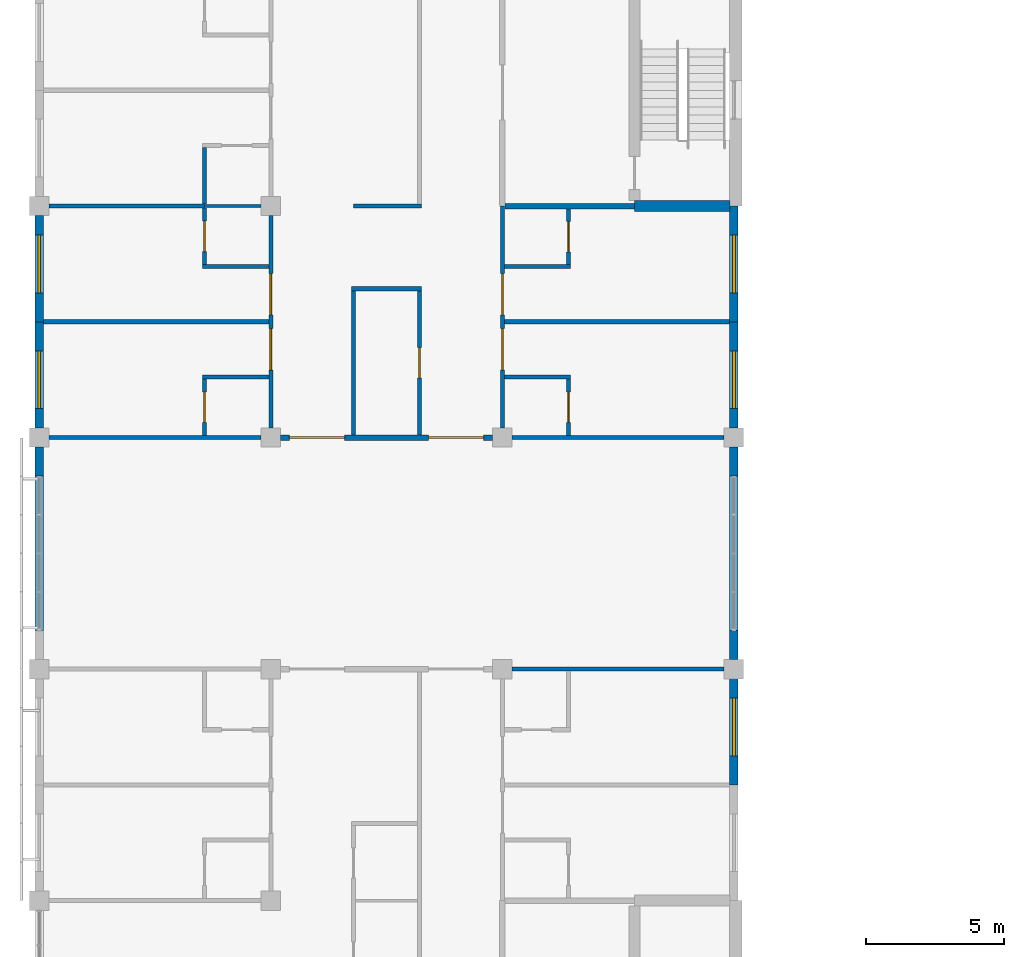
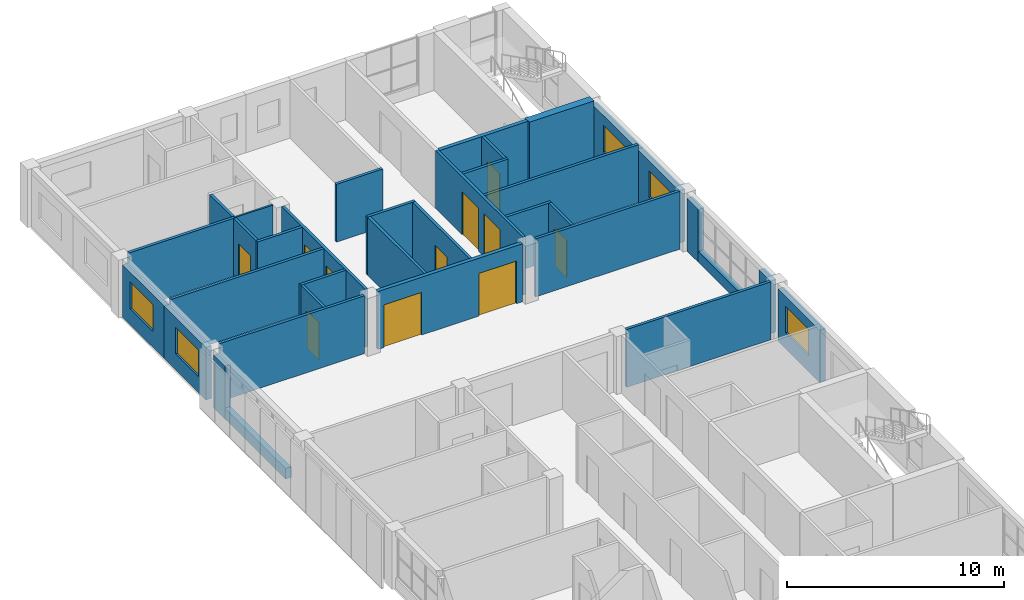
# One storey, part 34 of 46: 35 walls, 11 doors, 5 windows, 16 openings.
"""IFC4 building model written with IfcOpenShell, lengths in metres."""

from ifc_helpers import new_model, si_unit, direction, frame, frame_2d, origin, place, context, subcontext, project, spatial, rectangle, extrude, material, layer, layer_set, type_object, element, fill, save


model = new_model("IFC4")

# Units and contexts
model_context = context("Model", 3, precision=1e-05, world=origin(), true_north=direction((0.0, 1.0)))
body_context = subcontext(model_context, "Body", "Model", "MODEL_VIEW")
ifc_project = project(units=[si_unit("LENGTHUNIT", "METRE"), si_unit("AREAUNIT", "SQUARE_METRE"), si_unit("VOLUMEUNIT", "CUBIC_METRE"), si_unit("PLANEANGLEUNIT", "RADIAN"), si_unit("MASSUNIT", "GRAM", prefix="KILO")], contexts=[model_context])

# Site, building, storey
site_placement = place(None, origin())
site = spatial("IfcSite", under=ifc_project, at=site_placement, CompositionType="ELEMENT")
building_placement = place(site_placement, origin())
building = spatial("IfcBuilding", under=site, at=building_placement, Name="Yavir Park General Hospital", CompositionType="ELEMENT")
storey_placement = place(building_placement, frame((0.0, 0.0, 18.89990234375)))
storey = spatial("IfcBuildingStorey", under=building, at=storey_placement, Name="L04", CompositionType="ELEMENT", Elevation=18.89990234375)

# Wall, openings, doors
ifc_material_1 = material(Name="Double gypsum board fire partition on steel studs", Category="steel")
ifc_layer_1 = layer(ifc_material_1, 0.199951171875)
ifc_layer_set_1 = layer_set([ifc_layer_1], Name="Double gypsum board fire partition on steel studs")
wall_type_1 = type_object("IfcWallType", Name="Fire-rated partition 200, EI 60", PredefinedType="PARTITIONING", material=ifc_layer_set_1)
wall_1_placement = place(storey_placement, frame((8.75, 100.800048828125, 0.0), z_axis=(0.0, 0.0, 1.0), x_axis=(1.0, 0.0, 0.0)))
wall_1 = element("IfcWall", 1, at=wall_1_placement, inside=storey, type_object=wall_type_1, Name="FP20 L04-126", PredefinedType="PARTITIONING", context=body_context, shape_type="SweptSolid", body=[
    extrude(rectangle(XDim=7.699951171875, YDim=0.199951171875, at=frame_2d((3.85009765625, 0.0))), origin(), (0.0, 0.0, 1.0), 3.260009765625),
])
opening_1_placement = place(wall_1_placement, frame((0.324951171875, 0.0, 0.0)))
opening_1 = element("IfcOpeningElement", 2, at=opening_1_placement, cuts=wall_1, Name="Opening L04.D070", PredefinedType="OPENING", context=body_context, shape_type="SweptSolid", body=[
    extrude(rectangle(XDim=2.0, YDim=2.39990234375, at=frame_2d((1.0, 1.199951171875))), frame((0.0, 0.10986328125, 0.0), z_axis=(0.0, -1.0, 0.0), x_axis=(1.0, 0.0, 0.0)), (0.0, 0.0, 1.0), 0.219970703125),
])
opening_2_placement = place(wall_1_placement, frame((5.375, 0.0, 0.0)))
opening_2 = element("IfcOpeningElement", 3, at=opening_2_placement, cuts=wall_1, Name="Opening L04.D071", PredefinedType="OPENING", context=body_context, shape_type="SweptSolid", body=[
    extrude(rectangle(XDim=2.0, YDim=2.39990234375, at=frame_2d((1.0, 1.199951171875))), frame((0.0, 0.10986328125, 0.0), z_axis=(0.0, -1.0, 0.0), x_axis=(1.0, 0.0, 0.0)), (0.0, 0.0, 1.0), 0.219970703125),
])
ifc_material_2 = material(Name="Steel frame, fire-resisting leaves with vision panels", Category="steel")
door_type_1 = type_object("IfcDoorType", Name="Double fire door with vision panels 2000 x 2400, EI 60", OperationType="DOUBLE_DOOR_SINGLE_SWING", PredefinedType="DOOR", material=ifc_material_2)
door_1_placement = place(opening_1_placement, origin())
door_1 = element("IfcDoor", 4, at=door_1_placement, inside=storey, type_object=door_type_1, Name="L04.D070", OperationType="SINGLE_SWING_LEFT", OverallHeight=2.39990234375, OverallWidth=2.0, PredefinedType="DOOR", context=body_context, shape_type="SweptSolid", body=[
    extrude(rectangle(XDim=2.0, YDim=2.39990234375, at=frame_2d((1.0, 1.199951171875))), frame((0.0, 0.030029296875, 0.0), z_axis=(0.0, -1.0, 0.0), x_axis=(1.0, 0.0, 0.0)), (0.0, 0.0, 1.0), 0.06005859375),
])
fill(opening_1, door_1)
door_2_placement = place(opening_2_placement, origin())
door_2 = element("IfcDoor", 5, at=door_2_placement, inside=storey, type_object=door_type_1, Name="L04.D071", OperationType="SINGLE_SWING_RIGHT", OverallHeight=2.39990234375, OverallWidth=2.0, PredefinedType="DOOR", context=body_context, shape_type="SweptSolid", body=[
    extrude(rectangle(XDim=2.0, YDim=2.39990234375, at=frame_2d((1.0, 1.199951171875))), frame((0.0, 0.030029296875, 0.0), z_axis=(0.0, -1.0, 0.0), x_axis=(1.0, 0.0, 0.0)), (0.0, 0.0, 1.0), 0.06005859375),
])
fill(opening_2, door_2)

# Walls
wall_2_placement = place(storey_placement, frame((16.89990234375, 109.199951171875, 0.0), z_axis=(0.0, 0.0, 1.0), x_axis=(1.0, 0.0, 0.0)))
element("IfcWall", 6, at=wall_2_placement, inside=storey, type_object=wall_type_1, Name="FP20 L04-138", PredefinedType="PARTITIONING", context=body_context, shape_type="SweptSolid", body=[
    extrude(rectangle(XDim=4.7001953125, YDim=0.199951171875, at=frame_2d((2.35009765625, 0.0))), origin(), (0.0, 0.0, 1.0), 3.260009765625),
])
ifc_material_3 = material(Name="Gypsum board partition on steel studs", Category="steel")
ifc_layer_2 = layer(ifc_material_3, 0.10009765625)
ifc_layer_set_2 = layer_set([ifc_layer_2], Name="Gypsum board partition on steel studs")
wall_type_2 = type_object("IfcWallType", Name="Gypsum board partition 100", PredefinedType="PARTITIONING", material=ifc_layer_set_2)
wall_3_placement = place(storey_placement, frame((6.0, 109.199951171875, 0.0), z_axis=(0.0, 0.0, 1.0), x_axis=(1.0, 0.0, 0.0)))
element("IfcWall", 7, at=wall_3_placement, inside=storey, type_object=wall_type_2, Name="P10 L04-136", PredefinedType="PARTITIONING", context=body_context, shape_type="SweptSolid", body=[
    extrude(rectangle(XDim=2.050048828125, YDim=0.10009765625, at=frame_2d((1.02490234375, 0.0))), origin(), (0.0, 0.0, 1.0), 3.260009765625),
])
ifc_material_4 = material(Name="Gypsum board partition on steel studs", Category="steel")
ifc_layer_3 = layer(ifc_material_4, 0.14990234375)
ifc_layer_set_3 = layer_set([ifc_layer_3], Name="Gypsum board partition on steel studs")
wall_type_3 = type_object("IfcWallType", Name="Gypsum board partition 150", PredefinedType="PARTITIONING", material=ifc_layer_set_3)
wall_4_placement = place(storey_placement, frame((17.14990234375, 92.39990234375, 0.0), z_axis=(0.0, 0.0, 1.0), x_axis=(1.0, 0.0, 0.0)))
element("IfcWall", 8, at=wall_4_placement, inside=storey, type_object=wall_type_3, Name="P15 L04-124", PredefinedType="PARTITIONING", context=body_context, shape_type="SweptSolid", body=[
    extrude(rectangle(XDim=7.7001953125, YDim=0.14990234375, at=frame_2d((3.85009765625, 0.0))), origin(), (0.0, 0.0, 1.0), 3.260009765625),
])
wall_5_placement = place(storey_placement, frame((0.35009765625, 100.800048828125, 0.0), z_axis=(0.0, 0.0, 1.0), x_axis=(1.0, 0.0, 0.0)))
element("IfcWall", 9, at=wall_5_placement, inside=storey, type_object=wall_type_3, Name="P15 L04-125", PredefinedType="PARTITIONING", context=body_context, shape_type="SweptSolid", body=[
    extrude(rectangle(XDim=7.699951171875, YDim=0.14990234375, at=frame_2d((3.85009765625, 0.0))), origin(), (0.0, 0.0, 1.0), 3.260009765625),
])
wall_6_placement = place(storey_placement, frame((17.14990234375, 100.800048828125, 0.0), z_axis=(0.0, 0.0, 1.0), x_axis=(1.0, 0.0, 0.0)))
element("IfcWall", 10, at=wall_6_placement, inside=storey, type_object=wall_type_3, Name="P15 L04-127", PredefinedType="PARTITIONING", context=body_context, shape_type="SweptSolid", body=[
    extrude(rectangle(XDim=7.7001953125, YDim=0.14990234375, at=frame_2d((3.85009765625, 0.0))), origin(), (0.0, 0.0, 1.0), 3.260009765625),
])
for number, where, z_axis, x_axis, name in (
    (11, (5.925048828125, 103.0, 0.0), (0.0, 0.0, 1.0), (1.0, 0.0, 0.0), "P15 L04-128"),
    (12, (16.875, 103.0, 0.0), (0.0, 0.0, 1.0), (1.0, 0.0, 0.0), "P15 L04-129"),
):
    element("IfcWall", number, at=place(storey_placement, frame(where, z_axis=z_axis, x_axis=x_axis)), inside=storey, type_object=wall_type_3, Name=name, PredefinedType="PARTITIONING", context=body_context, shape_type="SweptSolid", body=[
        extrude(rectangle(XDim=2.39990234375, YDim=0.14990234375, at=frame_2d((1.199951171875, 0.0))), origin(), (0.0, 0.0, 1.0), 3.260009765625),
    ])
for number, where, z_axis, x_axis, name in (
    (13, (0.14990234375, 105.0, 0.0), (0.0, 0.0, 1.0), (1.0, 0.0, 0.0), "P15 L04-130"),
    (14, (16.875, 105.0, 0.0), (0.0, 0.0, 1.0), (1.0, 0.0, 0.0), "P15 L04-131"),
):
    element("IfcWall", number, at=place(storey_placement, frame(where, z_axis=z_axis, x_axis=x_axis)), inside=storey, type_object=wall_type_3, Name=name, PredefinedType="PARTITIONING", context=body_context, shape_type="SweptSolid", body=[
        extrude(rectangle(XDim=8.175048828125, YDim=0.14990234375, at=frame_2d((4.08740234375, 0.0))), origin(), (0.0, 0.0, 1.0), 3.260009765625),
    ])
wall_7_placement = place(storey_placement, frame((11.324951171875, 106.199951171875, 0.0), z_axis=(0.0, 0.0, 1.0), x_axis=(1.0, 0.0, 0.0)))
element("IfcWall", 15, at=wall_7_placement, inside=storey, type_object=wall_type_3, Name="P15 L04-132", PredefinedType="PARTITIONING", context=body_context, shape_type="SweptSolid", body=[
    extrude(rectangle(XDim=2.550048828125, YDim=0.14990234375, at=frame_2d((1.27490234375, 0.0))), origin(), (0.0, 0.0, 1.0), 3.260009765625),
])
for number, where, z_axis, x_axis, name in (
    (16, (5.925048828125, 107.0, 0.0), (0.0, 0.0, 1.0), (1.0, 0.0, 0.0), "P15 L04-133"),
    (17, (16.875, 107.0, 0.0), (0.0, 0.0, 1.0), (1.0, 0.0, 0.0), "P15 L04-134"),
):
    element("IfcWall", number, at=place(storey_placement, frame(where, z_axis=z_axis, x_axis=x_axis)), inside=storey, type_object=wall_type_3, Name=name, PredefinedType="PARTITIONING", context=body_context, shape_type="SweptSolid", body=[
        extrude(rectangle(XDim=2.39990234375, YDim=0.14990234375, at=frame_2d((1.199951171875, 0.0))), origin(), (0.0, 0.0, 1.0), 3.260009765625),
    ])
wall_8_placement = place(storey_placement, frame((0.35009765625, 109.199951171875, 0.0), z_axis=(0.0, 0.0, 1.0), x_axis=(1.0, 0.0, 0.0)))
element("IfcWall", 18, at=wall_8_placement, inside=storey, type_object=wall_type_3, Name="P15 L04-135", PredefinedType="PARTITIONING", context=body_context, shape_type="SweptSolid", body=[
    extrude(rectangle(XDim=5.64990234375, YDim=0.14990234375, at=frame_2d((2.824951171875, 0.0))), origin(), (0.0, 0.0, 1.0), 3.260009765625),
])
wall_9_placement = place(storey_placement, frame((11.39990234375, 109.199951171875, 0.0), z_axis=(0.0, 0.0, 1.0), x_axis=(1.0, 0.0, 0.0)))
element("IfcWall", 19, at=wall_9_placement, inside=storey, type_object=wall_type_3, Name="P15 L04-137", PredefinedType="PARTITIONING", context=body_context, shape_type="SweptSolid", body=[
    extrude(rectangle(XDim=2.47509765625, YDim=0.14990234375, at=frame_2d((1.237548828125, 0.0))), origin(), (0.0, 0.0, 1.0), 3.260009765625),
])

# Wall, opening, door
wall_10_placement = place(storey_placement, frame((6.0, 100.875, 0.0), z_axis=(0.0, 0.0, 1.0), x_axis=(0.0, 1.0, 0.0)))
wall_10 = element("IfcWall", 20, at=wall_10_placement, inside=storey, type_object=wall_type_3, Name="P15 L04-157", PredefinedType="PARTITIONING", context=body_context, shape_type="SweptSolid", body=[
    extrude(rectangle(XDim=2.050048828125, YDim=0.14990234375, at=frame_2d((1.02490234375, 0.0))), origin(), (0.0, 0.0, 1.0), 3.260009765625),
])
opening_3_placement = place(wall_10_placement, frame((0.47509765625, 0.0, 0.0)))
opening_3 = element("IfcOpeningElement", 21, at=opening_3_placement, cuts=wall_10, Name="Opening L04.D085", PredefinedType="OPENING", context=body_context, shape_type="SweptSolid", body=[
    extrude(rectangle(XDim=1.10009765625, YDim=2.10009765625, at=frame_2d((0.550048828125, 1.050048828125))), frame((0.0, 0.0849609375, 0.0), z_axis=(0.0, -1.0, 0.0), x_axis=(1.0, 0.0, 0.0)), (0.0, 0.0, 1.0), 0.169921875),
])
ifc_material_5 = material(Name="Hollow metal frame, solid-core timber leaf", Category="wood")
door_type_2 = type_object("IfcDoorType", Name="Single swing door 1100 x 2100", OperationType="SINGLE_SWING_LEFT", PredefinedType="DOOR", material=ifc_material_5)
door_3_placement = place(opening_3_placement, origin())
door_3 = element("IfcDoor", 22, at=door_3_placement, inside=storey, type_object=door_type_2, Name="L04.D085", OperationType="SINGLE_SWING_RIGHT", OverallHeight=2.10009765625, OverallWidth=1.10009765625, PredefinedType="DOOR", context=body_context, shape_type="SweptSolid", body=[
    extrude(rectangle(XDim=1.10009765625, YDim=2.10009765625, at=frame_2d((0.550048828125, 1.050048828125))), frame((0.0, 0.02490234375, 0.0), z_axis=(0.0, -1.0, 0.0), x_axis=(1.0, 0.0, 0.0)), (0.0, 0.0, 1.0), 0.050048828125),
])
fill(opening_3, door_3)

wall_11_placement = place(storey_placement, frame((6.0, 107.074951171875, 0.0), z_axis=(0.0, 0.0, 1.0), x_axis=(0.0, 1.0, 0.0)))
wall_11 = element("IfcWall", 23, at=wall_11_placement, inside=storey, type_object=wall_type_3, Name="P15 L04-158", PredefinedType="PARTITIONING", context=body_context, shape_type="SweptSolid", body=[
    extrude(rectangle(XDim=2.050048828125, YDim=0.14990234375, at=frame_2d((1.02490234375, 0.0))), origin(), (0.0, 0.0, 1.0), 3.260009765625),
])
opening_4_placement = place(wall_11_placement, frame((0.47509765625, 0.0, 0.0)))
opening_4 = element("IfcOpeningElement", 24, at=opening_4_placement, cuts=wall_11, Name="Opening L04.D086", PredefinedType="OPENING", context=body_context, shape_type="SweptSolid", body=[
    extrude(rectangle(XDim=1.10009765625, YDim=2.10009765625, at=frame_2d((0.550048828125, 1.050048828125))), frame((0.0, 0.0849609375, 0.0), z_axis=(0.0, -1.0, 0.0), x_axis=(1.0, 0.0, 0.0)), (0.0, 0.0, 1.0), 0.169921875),
])
door_4_placement = place(opening_4_placement, origin())
door_4 = element("IfcDoor", 25, at=door_4_placement, inside=storey, type_object=door_type_2, Name="L04.D086", OperationType="SINGLE_SWING_LEFT", OverallHeight=2.10009765625, OverallWidth=1.10009765625, PredefinedType="DOOR", context=body_context, shape_type="SweptSolid", body=[
    extrude(rectangle(XDim=1.10009765625, YDim=2.10009765625, at=frame_2d((0.550048828125, 1.050048828125))), frame((0.0, 0.02490234375, 0.0), z_axis=(0.0, -1.0, 0.0), x_axis=(1.0, 0.0, 0.0)), (0.0, 0.0, 1.0), 0.050048828125),
])
fill(opening_4, door_4)

# Wall
wall_12_placement = place(storey_placement, frame((6.0, 109.27490234375, 0.0), z_axis=(0.0, 0.0, 1.0), x_axis=(0.0, 1.0, 0.0)))
element("IfcWall", 26, at=wall_12_placement, inside=storey, type_object=wall_type_3, Name="P15 L04-159", PredefinedType="PARTITIONING", context=body_context, shape_type="SweptSolid", body=[
    extrude(rectangle(XDim=2.050048828125, YDim=0.14990234375, at=frame_2d((1.02490234375, 0.0))), origin(), (0.0, 0.0, 1.0), 3.260009765625),
])

# Wall, openings, doors
wall_13_placement = place(storey_placement, frame((8.39990234375, 101.14990234375, 0.0), z_axis=(0.0, 0.0, 1.0), x_axis=(0.0, 1.0, 0.0)))
wall_13 = element("IfcWall", 27, at=wall_13_placement, inside=storey, type_object=wall_type_3, Name="P15 L04-173", PredefinedType="PARTITIONING", context=body_context, shape_type="SweptSolid", body=[
    extrude(rectangle(XDim=7.7001953125, YDim=0.14990234375, at=frame_2d((3.85009765625, 0.0))), origin(), (0.0, 0.0, 1.0), 3.260009765625),
])
opening_5_placement = place(wall_13_placement, frame((2.10009765625, 0.0, 0.0)))
opening_5 = element("IfcOpeningElement", 28, at=opening_5_placement, cuts=wall_13, Name="Opening L04.D100", PredefinedType="OPENING", context=body_context, shape_type="SweptSolid", body=[
    extrude(rectangle(XDim=1.5, YDim=2.39990234375, at=frame_2d((0.75, 1.199951171875))), frame((0.0, 0.0849609375, 0.0), z_axis=(0.0, -1.0, 0.0), x_axis=(1.0, 0.0, 0.0)), (0.0, 0.0, 1.0), 0.169921875),
])
opening_6_placement = place(wall_13_placement, frame((4.10009765625, 0.0, 0.0)))
opening_6 = element("IfcOpeningElement", 29, at=opening_6_placement, cuts=wall_13, Name="Opening L04.D101", PredefinedType="OPENING", context=body_context, shape_type="SweptSolid", body=[
    extrude(rectangle(XDim=1.5, YDim=2.39990234375, at=frame_2d((0.75, 1.199951171875))), frame((0.0, 0.0849609375, 0.0), z_axis=(0.0, -1.0, 0.0), x_axis=(1.0, 0.0, 0.0)), (0.0, 0.0, 1.0), 0.169921875),
])
ifc_material_6 = material(Name="Solid-core timber leaves, push plates, kick plates", Category="wood")
door_type_3 = type_object("IfcDoorType", Name="Bed door, unequal leaves 1500 x 2400", OperationType="DOUBLE_DOOR_SINGLE_SWING", PredefinedType="DOOR", material=ifc_material_6)
door_5_placement = place(opening_5_placement, origin())
door_5 = element("IfcDoor", 30, at=door_5_placement, inside=storey, type_object=door_type_3, Name="L04.D100", OperationType="SINGLE_SWING_RIGHT", OverallHeight=2.39990234375, OverallWidth=1.5, PredefinedType="DOOR", context=body_context, shape_type="SweptSolid", body=[
    extrude(rectangle(XDim=1.5, YDim=2.39990234375, at=frame_2d((0.75, 1.199951171875))), frame((0.0, 0.030029296875, 0.0), z_axis=(0.0, -1.0, 0.0), x_axis=(1.0, 0.0, 0.0)), (0.0, 0.0, 1.0), 0.06005859375),
])
fill(opening_5, door_5)
door_6_placement = place(opening_6_placement, origin())
door_6 = element("IfcDoor", 31, at=door_6_placement, inside=storey, type_object=door_type_3, Name="L04.D101", OperationType="SINGLE_SWING_RIGHT", OverallHeight=2.39990234375, OverallWidth=1.5, PredefinedType="DOOR", context=body_context, shape_type="SweptSolid", body=[
    extrude(rectangle(XDim=1.5, YDim=2.39990234375, at=frame_2d((0.75, 1.199951171875))), frame((0.0, 0.030029296875, 0.0), z_axis=(0.0, -1.0, 0.0), x_axis=(1.0, 0.0, 0.0)), (0.0, 0.0, 1.0), 0.06005859375),
])
fill(opening_6, door_6)

# Wall
wall_14_placement = place(storey_placement, frame((11.39990234375, 100.89990234375, 0.0), z_axis=(0.0, 0.0, 1.0), x_axis=(0.0, 1.0, 0.0)))
element("IfcWall", 32, at=wall_14_placement, inside=storey, type_object=wall_type_3, Name="P15 L04-179", PredefinedType="PARTITIONING", context=body_context, shape_type="SweptSolid", body=[
    extrude(rectangle(XDim=5.22509765625, YDim=0.14990234375, at=frame_2d((2.612548828125, 0.0))), origin(), (0.0, 0.0, 1.0), 3.260009765625),
])

# Wall, opening, door
wall_15_placement = place(storey_placement, frame((13.800048828125, 100.89990234375, 0.0), z_axis=(0.0, 0.0, 1.0), x_axis=(0.0, 1.0, 0.0)))
wall_15 = element("IfcWall", 33, at=wall_15_placement, inside=storey, type_object=wall_type_3, Name="P15 L04-183", PredefinedType="PARTITIONING", context=body_context, shape_type="SweptSolid", body=[
    extrude(rectangle(XDim=5.22509765625, YDim=0.14990234375, at=frame_2d((2.612548828125, 0.0))), origin(), (0.0, 0.0, 1.0), 3.260009765625),
])
opening_7_placement = place(wall_15_placement, frame((2.0625, 0.0, 0.0)))
opening_7 = element("IfcOpeningElement", 34, at=opening_7_placement, cuts=wall_15, Name="Opening L04.D114", PredefinedType="OPENING", context=body_context, shape_type="SweptSolid", body=[
    extrude(rectangle(XDim=1.10009765625, YDim=2.10009765625, at=frame_2d((0.550048828125, 1.050048828125))), frame((0.0, 0.0849609375, 0.0), z_axis=(0.0, -1.0, 0.0), x_axis=(1.0, 0.0, 0.0)), (0.0, 0.0, 1.0), 0.169921875),
])
door_7_placement = place(opening_7_placement, origin())
door_7 = element("IfcDoor", 35, at=door_7_placement, inside=storey, type_object=door_type_2, Name="L04.D114", OperationType="SINGLE_SWING_RIGHT", OverallHeight=2.10009765625, OverallWidth=1.10009765625, PredefinedType="DOOR", context=body_context, shape_type="SweptSolid", body=[
    extrude(rectangle(XDim=1.10009765625, YDim=2.10009765625, at=frame_2d((0.550048828125, 1.050048828125))), frame((0.0, 0.02490234375, 0.0), z_axis=(0.0, -1.0, 0.0), x_axis=(1.0, 0.0, 0.0)), (0.0, 0.0, 1.0), 0.050048828125),
])
fill(opening_7, door_7)

# Wall, openings, doors
wall_16_placement = place(storey_placement, frame((16.800048828125, 101.14990234375, 0.0), z_axis=(0.0, 0.0, 1.0), x_axis=(0.0, 1.0, 0.0)))
wall_16 = element("IfcWall", 36, at=wall_16_placement, inside=storey, type_object=wall_type_3, Name="P15 L04-196", PredefinedType="PARTITIONING", context=body_context, shape_type="SweptSolid", body=[
    extrude(rectangle(XDim=8.050048828125, YDim=0.14990234375, at=frame_2d((4.02490234375, 0.0))), origin(), (0.0, 0.0, 1.0), 3.260009765625),
])
opening_8_placement = place(wall_16_placement, frame((2.10009765625, 0.0, 0.0)))
opening_8 = element("IfcOpeningElement", 37, at=opening_8_placement, cuts=wall_16, Name="Opening L04.D125", PredefinedType="OPENING", context=body_context, shape_type="SweptSolid", body=[
    extrude(rectangle(XDim=1.5, YDim=2.39990234375, at=frame_2d((0.75, 1.199951171875))), frame((0.0, 0.0849609375, 0.0), z_axis=(0.0, -1.0, 0.0), x_axis=(1.0, 0.0, 0.0)), (0.0, 0.0, 1.0), 0.169921875),
])
opening_9_placement = place(wall_16_placement, frame((4.10009765625, 0.0, 0.0)))
opening_9 = element("IfcOpeningElement", 38, at=opening_9_placement, cuts=wall_16, Name="Opening L04.D126", PredefinedType="OPENING", context=body_context, shape_type="SweptSolid", body=[
    extrude(rectangle(XDim=1.5, YDim=2.39990234375, at=frame_2d((0.75, 1.199951171875))), frame((0.0, 0.0849609375, 0.0), z_axis=(0.0, -1.0, 0.0), x_axis=(1.0, 0.0, 0.0)), (0.0, 0.0, 1.0), 0.169921875),
])
door_8_placement = place(opening_8_placement, origin())
door_8 = element("IfcDoor", 39, at=door_8_placement, inside=storey, type_object=door_type_3, Name="L04.D125", OperationType="SINGLE_SWING_LEFT", OverallHeight=2.39990234375, OverallWidth=1.5, PredefinedType="DOOR", context=body_context, shape_type="SweptSolid", body=[
    extrude(rectangle(XDim=1.5, YDim=2.39990234375, at=frame_2d((0.75, 1.199951171875))), frame((0.0, 0.030029296875, 0.0), z_axis=(0.0, -1.0, 0.0), x_axis=(1.0, 0.0, 0.0)), (0.0, 0.0, 1.0), 0.06005859375),
])
fill(opening_8, door_8)
door_9_placement = place(opening_9_placement, origin())
door_9 = element("IfcDoor", 40, at=door_9_placement, inside=storey, type_object=door_type_3, Name="L04.D126", OperationType="SINGLE_SWING_LEFT", OverallHeight=2.39990234375, OverallWidth=1.5, PredefinedType="DOOR", context=body_context, shape_type="SweptSolid", body=[
    extrude(rectangle(XDim=1.5, YDim=2.39990234375, at=frame_2d((0.75, 1.199951171875))), frame((0.0, 0.030029296875, 0.0), z_axis=(0.0, -1.0, 0.0), x_axis=(1.0, 0.0, 0.0)), (0.0, 0.0, 1.0), 0.06005859375),
])
fill(opening_9, door_9)

# Wall, opening, door
wall_17_placement = place(storey_placement, frame((19.199951171875, 100.875, 0.0), z_axis=(0.0, 0.0, 1.0), x_axis=(0.0, 1.0, 0.0)))
wall_17 = element("IfcWall", 41, at=wall_17_placement, inside=storey, type_object=wall_type_3, Name="P15 L04-206", PredefinedType="PARTITIONING", context=body_context, shape_type="SweptSolid", body=[
    extrude(rectangle(XDim=2.050048828125, YDim=0.14990234375, at=frame_2d((1.02490234375, 0.0))), origin(), (0.0, 0.0, 1.0), 3.260009765625),
])
opening_10_placement = place(wall_17_placement, frame((0.47509765625, 0.0, 0.0)))
opening_10 = element("IfcOpeningElement", 42, at=opening_10_placement, cuts=wall_17, Name="Opening L04.D135", PredefinedType="OPENING", context=body_context, shape_type="SweptSolid", body=[
    extrude(rectangle(XDim=1.10009765625, YDim=2.10009765625, at=frame_2d((0.550048828125, 1.050048828125))), frame((0.0, 0.0849609375, 0.0), z_axis=(0.0, -1.0, 0.0), x_axis=(1.0, 0.0, 0.0)), (0.0, 0.0, 1.0), 0.169921875),
])
door_10_placement = place(opening_10_placement, origin())
door_10 = element("IfcDoor", 43, at=door_10_placement, inside=storey, type_object=door_type_2, Name="L04.D135", OperationType="SINGLE_SWING_LEFT", OverallHeight=2.10009765625, OverallWidth=1.10009765625, PredefinedType="DOOR", context=body_context, shape_type="SweptSolid", body=[
    extrude(rectangle(XDim=1.10009765625, YDim=2.10009765625, at=frame_2d((0.550048828125, 1.050048828125))), frame((0.0, 0.02490234375, 0.0), z_axis=(0.0, -1.0, 0.0), x_axis=(1.0, 0.0, 0.0)), (0.0, 0.0, 1.0), 0.050048828125),
])
fill(opening_10, door_10)

wall_18_placement = place(storey_placement, frame((19.199951171875, 107.074951171875, 0.0), z_axis=(0.0, 0.0, 1.0), x_axis=(0.0, 1.0, 0.0)))
wall_18 = element("IfcWall", 44, at=wall_18_placement, inside=storey, type_object=wall_type_3, Name="P15 L04-207", PredefinedType="PARTITIONING", context=body_context, shape_type="SweptSolid", body=[
    extrude(rectangle(XDim=2.025146484375, YDim=0.14990234375, at=frame_2d((1.0126953125, 0.0))), origin(), (0.0, 0.0, 1.0), 3.260009765625),
])
opening_11_placement = place(wall_18_placement, frame((0.46240234375, 0.0, 0.0)))
opening_11 = element("IfcOpeningElement", 45, at=opening_11_placement, cuts=wall_18, Name="Opening L04.D136", PredefinedType="OPENING", context=body_context, shape_type="SweptSolid", body=[
    extrude(rectangle(XDim=1.10009765625, YDim=2.10009765625, at=frame_2d((0.550048828125, 1.050048828125))), frame((0.0, 0.0849609375, 0.0), z_axis=(0.0, -1.0, 0.0), x_axis=(1.0, 0.0, 0.0)), (0.0, 0.0, 1.0), 0.169921875),
])
door_11_placement = place(opening_11_placement, origin())
door_11 = element("IfcDoor", 46, at=door_11_placement, inside=storey, type_object=door_type_2, Name="L04.D136", OperationType="SINGLE_SWING_RIGHT", OverallHeight=2.10009765625, OverallWidth=1.10009765625, PredefinedType="DOOR", context=body_context, shape_type="SweptSolid", body=[
    extrude(rectangle(XDim=1.10009765625, YDim=2.10009765625, at=frame_2d((0.550048828125, 1.050048828125))), frame((0.0, 0.02490234375, 0.0), z_axis=(0.0, -1.0, 0.0), x_axis=(1.0, 0.0, 0.0)), (0.0, 0.0, 1.0), 0.050048828125),
])
fill(opening_11, door_11)

# Walls
ifc_material_7 = material(Name="Autoclaved aerated block, mineral wool and ochre mineral render")
ifc_layer_4 = layer(ifc_material_7, 0.300048828125)
ifc_layer_set_4 = layer_set([ifc_layer_4], Name="Autoclaved aerated block, mineral wool and ochre mineral render")
wall_type_4 = type_object("IfcWallType", Name="Ochre render ward wall 300, E 30", PredefinedType="SOLIDWALL", material=ifc_layer_set_4)
wall_19_placement = place(storey_placement, frame((0.0, 99.39990234375, 0.0), z_axis=(0.0, 0.0, 1.0), x_axis=(0.0, 1.0, 0.0)))
element("IfcWall", 47, at=wall_19_placement, inside=storey, type_object=wall_type_4, Name="XW7 L04-096", PredefinedType="SOLIDWALL", context=body_context, shape_type="SweptSolid", body=[
    extrude(rectangle(XDim=1.050048828125, YDim=0.300048828125, at=frame_2d((0.52490234375, 0.0))), origin(), (0.0, 0.0, 1.0), 2.960205078125),
])
wall_20_placement = place(storey_placement, frame((0.0, 93.800048828125, 0.0), z_axis=(0.0, 0.0, 1.0), x_axis=(0.0, 1.0, 0.0)))
element("IfcWall", 48, at=wall_20_placement, inside=storey, type_object=wall_type_4, Name="XW7 L04-097", PredefinedType="SOLIDWALL", context=body_context, shape_type="SweptSolid", body=[
    extrude(rectangle(XDim=5.599853515625, YDim=0.300048828125, at=frame_2d((2.7998046875, 0.0))), origin(), (0.0, 0.0, 1.0), 0.60009765625),
])

# Wall, opening, window
wall_21_placement = place(storey_placement, frame((0.0, 101.14990234375, 0.0), z_axis=(0.0, 0.0, 1.0), x_axis=(0.0, 1.0, 0.0)))
wall_21 = element("IfcWall", 49, at=wall_21_placement, inside=storey, type_object=wall_type_4, Name="XW7 L04-098", PredefinedType="SOLIDWALL", context=body_context, shape_type="SweptSolid", body=[
    extrude(rectangle(XDim=3.85009765625, YDim=0.300048828125, at=frame_2d((1.925048828125, 0.0))), origin(), (0.0, 0.0, 1.0), 2.960205078125),
])
opening_12_placement = place(wall_21_placement, frame((0.699951171875, 0.0, 0.89990234375)))
opening_12 = element("IfcOpeningElement", 50, at=opening_12_placement, cuts=wall_21, Name="Opening WAR", PredefinedType="OPENING", context=body_context, shape_type="SweptSolid", body=[
    extrude(rectangle(XDim=2.10009765625, YDim=1.5, at=frame_2d((1.050048828125, 0.75))), frame((0.0, 0.159912109375, 0.0), z_axis=(0.0, -1.0, 0.0), x_axis=(1.0, 0.0, 0.0)), (0.0, 0.0, 1.0), 0.320068359375),
])
ifc_material_8 = material(Name="Aluminium frame, tilt-and-turn sash with opening restrictor, double glazed unit", Category="aluminium")
window_type = type_object("IfcWindowType", Name="Ward window, restricted opening 2100 x 1500", PartitioningType="DOUBLE_PANEL_VERTICAL", PredefinedType="WINDOW", material=ifc_material_8)
window_1_placement = place(opening_12_placement, origin())
window_1 = element("IfcWindow", 51, at=window_1_placement, inside=storey, type_object=window_type, Name="WAR L04-036", OverallHeight=1.5, OverallWidth=2.10009765625, PartitioningType="DOUBLE_PANEL_VERTICAL", PredefinedType="WINDOW", context=body_context, shape_type="SweptSolid", body=[
    extrude(rectangle(XDim=2.10009765625, YDim=1.5, at=frame_2d((1.050048828125, 0.75))), frame((0.0, 0.050048828125, 0.0), z_axis=(0.0, -1.0, 0.0), x_axis=(1.0, 0.0, 0.0)), (0.0, 0.0, 1.0), 0.10009765625),
])
fill(opening_12, window_1)

wall_22_placement = place(storey_placement, frame((0.0, 105.0, 0.0), z_axis=(0.0, 0.0, 1.0), x_axis=(0.0, 1.0, 0.0)))
wall_22 = element("IfcWall", 52, at=wall_22_placement, inside=storey, type_object=wall_type_4, Name="XW7 L04-099", PredefinedType="SOLIDWALL", context=body_context, shape_type="SweptSolid", body=[
    extrude(rectangle(XDim=3.85009765625, YDim=0.300048828125, at=frame_2d((1.925048828125, 0.0))), origin(), (0.0, 0.0, 1.0), 2.960205078125),
])
opening_13_placement = place(wall_22_placement, frame((1.050048828125, 0.0, 0.89990234375)))
opening_13 = element("IfcOpeningElement", 53, at=opening_13_placement, cuts=wall_22, Name="Opening WAR", PredefinedType="OPENING", context=body_context, shape_type="SweptSolid", body=[
    extrude(rectangle(XDim=2.10009765625, YDim=1.5, at=frame_2d((1.050048828125, 0.75))), frame((0.0, 0.159912109375, 0.0), z_axis=(0.0, -1.0, 0.0), x_axis=(1.0, 0.0, 0.0)), (0.0, 0.0, 1.0), 0.320068359375),
])
window_2_placement = place(opening_13_placement, origin())
window_2 = element("IfcWindow", 54, at=window_2_placement, inside=storey, type_object=window_type, Name="WAR L04-037", OverallHeight=1.5, OverallWidth=2.10009765625, PartitioningType="DOUBLE_PANEL_VERTICAL", PredefinedType="WINDOW", context=body_context, shape_type="SweptSolid", body=[
    extrude(rectangle(XDim=2.10009765625, YDim=1.5, at=frame_2d((1.050048828125, 0.75))), frame((0.0, 0.050048828125, 0.0), z_axis=(0.0, -1.0, 0.0), x_axis=(1.0, 0.0, 0.0)), (0.0, 0.0, 1.0), 0.10009765625),
])
fill(opening_13, window_2)

wall_23_placement = place(storey_placement, frame((25.199951171875, 88.199951171875, 0.0), z_axis=(0.0, 0.0, 1.0), x_axis=(0.0, 1.0, 0.0)))
wall_23 = element("IfcWall", 55, at=wall_23_placement, inside=storey, type_object=wall_type_4, Name="XW7 L04-120", PredefinedType="SOLIDWALL", context=body_context, shape_type="SweptSolid", body=[
    extrude(rectangle(XDim=3.85009765625, YDim=0.300048828125, at=frame_2d((1.925048828125, 0.0))), origin(), (0.0, 0.0, 1.0), 2.960205078125),
])
opening_14_placement = place(wall_23_placement, frame((1.050048828125, 0.0, 0.89990234375)))
opening_14 = element("IfcOpeningElement", 56, at=opening_14_placement, cuts=wall_23, Name="Opening WAR", PredefinedType="OPENING", context=body_context, shape_type="SweptSolid", body=[
    extrude(rectangle(XDim=2.10009765625, YDim=1.5, at=frame_2d((1.050048828125, 0.75))), frame((0.0, 0.159912109375, 0.0), z_axis=(0.0, -1.0, 0.0), x_axis=(1.0, 0.0, 0.0)), (0.0, 0.0, 1.0), 0.320068359375),
])
window_3_placement = place(opening_14_placement, origin())
window_3 = element("IfcWindow", 57, at=window_3_placement, inside=storey, type_object=window_type, Name="WAR L04-048", OverallHeight=1.5, OverallWidth=2.10009765625, PartitioningType="DOUBLE_PANEL_VERTICAL", PredefinedType="WINDOW", context=body_context, shape_type="SweptSolid", body=[
    extrude(rectangle(XDim=2.10009765625, YDim=1.5, at=frame_2d((1.050048828125, 0.75))), frame((0.0, 0.050048828125, 0.0), z_axis=(0.0, -1.0, 0.0), x_axis=(1.0, 0.0, 0.0)), (0.0, 0.0, 1.0), 0.10009765625),
])
fill(opening_14, window_3)

# Walls
for number, where, z_axis, x_axis, name in (
    (58, (25.199951171875, 92.75, 0.0), (0.0, 0.0, 1.0), (0.0, 1.0, 0.0), "XW7 L04-121"),
    (59, (25.199951171875, 99.39990234375, 0.0), (0.0, 0.0, 1.0), (0.0, 1.0, 0.0), "XW7 L04-122"),
):
    element("IfcWall", number, at=place(storey_placement, frame(where, z_axis=z_axis, x_axis=x_axis)), inside=storey, type_object=wall_type_4, Name=name, PredefinedType="SOLIDWALL", context=body_context, shape_type="SweptSolid", body=[
        extrude(rectangle(XDim=1.050048828125, YDim=0.300048828125, at=frame_2d((0.52490234375, 0.0))), origin(), (0.0, 0.0, 1.0), 2.960205078125),
    ])
wall_24_placement = place(storey_placement, frame((25.199951171875, 93.800048828125, 0.0), z_axis=(0.0, 0.0, 1.0), x_axis=(0.0, 1.0, 0.0)))
element("IfcWall", 60, at=wall_24_placement, inside=storey, type_object=wall_type_4, Name="XW7 L04-123", PredefinedType="SOLIDWALL", context=body_context, shape_type="SweptSolid", body=[
    extrude(rectangle(XDim=5.599853515625, YDim=0.300048828125, at=frame_2d((2.7998046875, 0.0))), origin(), (0.0, 0.0, 1.0), 0.60009765625),
])

# Wall, opening, window
wall_25_placement = place(storey_placement, frame((25.199951171875, 101.14990234375, 0.0), z_axis=(0.0, 0.0, 1.0), x_axis=(0.0, 1.0, 0.0)))
wall_25 = element("IfcWall", 61, at=wall_25_placement, inside=storey, type_object=wall_type_4, Name="XW7 L04-124", PredefinedType="SOLIDWALL", context=body_context, shape_type="SweptSolid", body=[
    extrude(rectangle(XDim=3.85009765625, YDim=0.300048828125, at=frame_2d((1.925048828125, 0.0))), origin(), (0.0, 0.0, 1.0), 2.960205078125),
])
opening_15_placement = place(wall_25_placement, frame((0.699951171875, 0.0, 0.89990234375)))
opening_15 = element("IfcOpeningElement", 62, at=opening_15_placement, cuts=wall_25, Name="Opening WAR", PredefinedType="OPENING", context=body_context, shape_type="SweptSolid", body=[
    extrude(rectangle(XDim=2.10009765625, YDim=1.5, at=frame_2d((1.050048828125, 0.75))), frame((0.0, 0.159912109375, 0.0), z_axis=(0.0, -1.0, 0.0), x_axis=(1.0, 0.0, 0.0)), (0.0, 0.0, 1.0), 0.320068359375),
])
window_4_placement = place(opening_15_placement, origin())
window_4 = element("IfcWindow", 63, at=window_4_placement, inside=storey, type_object=window_type, Name="WAR L04-049", OverallHeight=1.5, OverallWidth=2.10009765625, PartitioningType="DOUBLE_PANEL_VERTICAL", PredefinedType="WINDOW", context=body_context, shape_type="SweptSolid", body=[
    extrude(rectangle(XDim=2.10009765625, YDim=1.5, at=frame_2d((1.050048828125, 0.75))), frame((0.0, 0.050048828125, 0.0), z_axis=(0.0, -1.0, 0.0), x_axis=(1.0, 0.0, 0.0)), (0.0, 0.0, 1.0), 0.10009765625),
])
fill(opening_15, window_4)

wall_26_placement = place(storey_placement, frame((25.199951171875, 105.0, 0.0), z_axis=(0.0, 0.0, 1.0), x_axis=(0.0, 1.0, 0.0)))
wall_26 = element("IfcWall", 64, at=wall_26_placement, inside=storey, type_object=wall_type_4, Name="XW7 L04-125", PredefinedType="SOLIDWALL", context=body_context, shape_type="SweptSolid", body=[
    extrude(rectangle(XDim=4.199951171875, YDim=0.300048828125, at=frame_2d((2.10009765625, 0.0))), origin(), (0.0, 0.0, 1.0), 2.960205078125),
])
opening_16_placement = place(wall_26_placement, frame((1.050048828125, 0.0, 0.89990234375)))
opening_16 = element("IfcOpeningElement", 65, at=opening_16_placement, cuts=wall_26, Name="Opening WAR", PredefinedType="OPENING", context=body_context, shape_type="SweptSolid", body=[
    extrude(rectangle(XDim=2.10009765625, YDim=1.5, at=frame_2d((1.050048828125, 0.75))), frame((0.0, 0.159912109375, 0.0), z_axis=(0.0, -1.0, 0.0), x_axis=(1.0, 0.0, 0.0)), (0.0, 0.0, 1.0), 0.320068359375),
])
window_5_placement = place(opening_16_placement, origin())
window_5 = element("IfcWindow", 66, at=window_5_placement, inside=storey, type_object=window_type, Name="WAR L04-050", OverallHeight=1.5, OverallWidth=2.10009765625, PartitioningType="DOUBLE_PANEL_VERTICAL", PredefinedType="WINDOW", context=body_context, shape_type="SweptSolid", body=[
    extrude(rectangle(XDim=2.10009765625, YDim=1.5, at=frame_2d((1.050048828125, 0.75))), frame((0.0, 0.050048828125, 0.0), z_axis=(0.0, -1.0, 0.0), x_axis=(1.0, 0.0, 0.0)), (0.0, 0.0, 1.0), 0.10009765625),
])
fill(opening_16, window_5)

# Wall
ifc_material_9 = material(Name="Concrete C35/45", Category="concrete")
ifc_layer_5 = layer(ifc_material_9, 0.39990234375)
ifc_layer_set_5 = layer_set([ifc_layer_5], Name="Concrete C35/45")
wall_type_5 = type_object("IfcWallType", Name="Reinforced concrete core wall 400, REI 150", PredefinedType="SHEAR", material=ifc_layer_set_5)
wall_27_placement = place(storey_placement, frame((21.60009765625, 109.199951171875, 0.0), z_axis=(0.0, 0.0, 1.0), x_axis=(1.0, 0.0, 0.0)))
element("IfcWall", 67, at=wall_27_placement, inside=storey, type_object=wall_type_5, Name="CW40 L04-139", PredefinedType="SHEAR", context=body_context, shape_type="SweptSolid", body=[
    extrude(rectangle(XDim=3.449951171875, YDim=0.39990234375, at=frame_2d((1.72509765625, 0.0))), origin(), (0.0, 0.0, 1.0), 3.260009765625),
])

save(model, "model.ifc")
